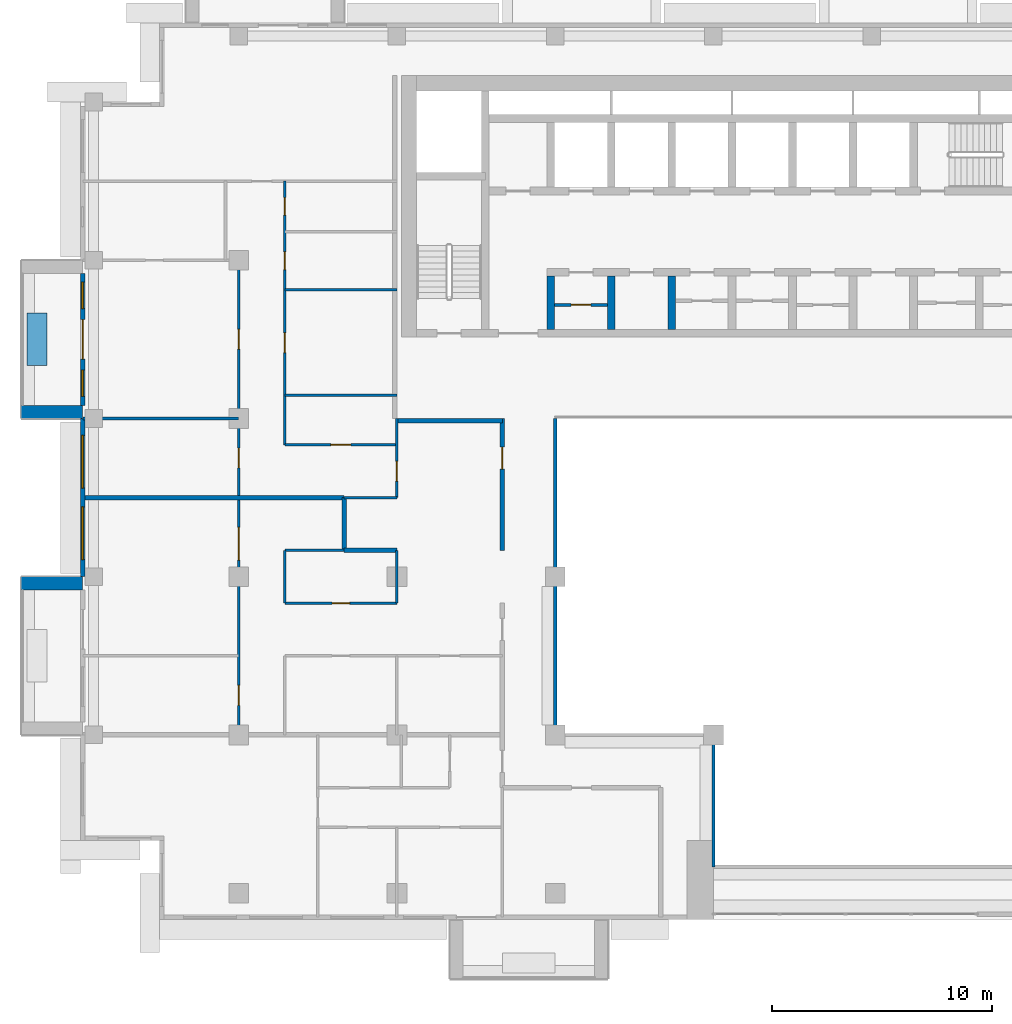
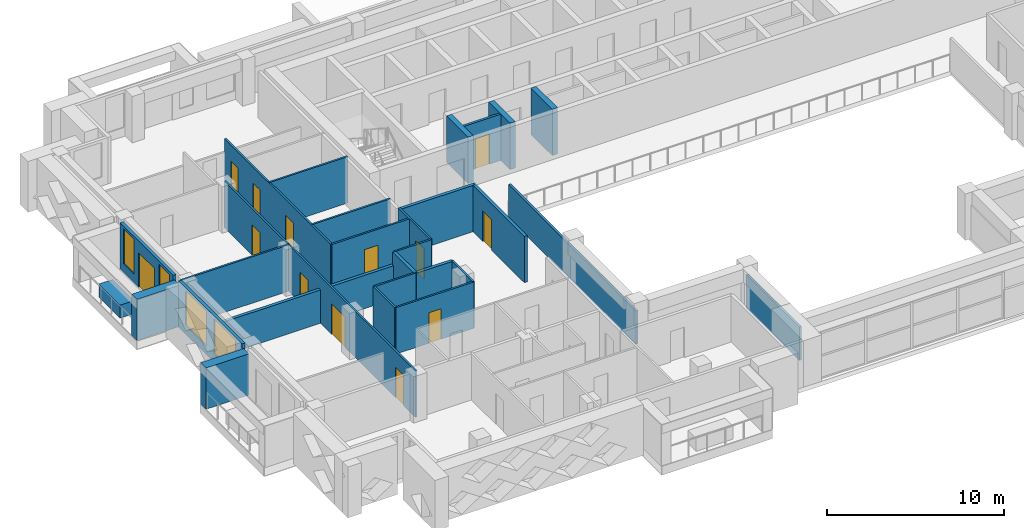
# One storey, part 7 of 20: 28 walls, 13 doors, 4 windows, 17 openings.
"""IFC4 building model written with IfcOpenShell, lengths in metres."""

from ifc_helpers import new_model, si_unit, direction, frame, frame_2d, origin, place, context, subcontext, project, spatial, rectangle, extrude, material, layer, layer_set, type_object, element, fill, save


model = new_model("IFC4")

# Units and contexts
model_context = context("Model", 3, precision=1e-05, world=origin(), true_north=direction((0.0, 1.0)))
body_context = subcontext(model_context, "Body", "Model", "MODEL_VIEW")
ifc_project = project(units=[si_unit("LENGTHUNIT", "METRE"), si_unit("AREAUNIT", "SQUARE_METRE"), si_unit("VOLUMEUNIT", "CUBIC_METRE"), si_unit("PLANEANGLEUNIT", "RADIAN"), si_unit("MASSUNIT", "GRAM", prefix="KILO")], contexts=[model_context])

# Site, building, storey
site_placement = place(None, origin())
site = spatial("IfcSite", under=ifc_project, at=site_placement, CompositionType="ELEMENT")
building_placement = place(site_placement, origin())
building = spatial("IfcBuilding", under=site, at=building_placement, Name="Saffron Iwan Residences", CompositionType="ELEMENT")
storey_placement = place(building_placement, frame((0.0, 0.0, 174.5)))
storey = spatial("IfcBuildingStorey", under=building, at=storey_placement, Name="L46", CompositionType="ELEMENT", Elevation=174.5)

# Walls
ifc_material_1 = material(Name="Fire-rated glazing", Category="glass")
ifc_layer_1 = layer(ifc_material_1, 0.14990234375)
ifc_layer_set_1 = layer_set([ifc_layer_1], Name="Fire-rated glazing")
wall_type_1 = type_object("IfcWallType", Name="Atrium glazed screen 150", PredefinedType="SOLIDWALL", material=ifc_layer_set_1)
wall_1_placement = place(storey_placement, frame((36.0, 48.0, 0.0), z_axis=(0.0, 0.0, 1.0), x_axis=(0.0, 1.0, 0.0)))
element("IfcWall", 1, at=wall_1_placement, inside=storey, type_object=wall_type_1, Name="W-L46-SCREEN-v36-48", PredefinedType="SOLIDWALL", context=body_context, shape_type="SweptSolid", body=[
    extrude(rectangle(XDim=14.39990234375, YDim=0.14990234375, at=frame_2d((7.199951171875, 0.0))), origin(), (0.0, 0.0, 1.0), 2.300048828125),
])
wall_2_placement = place(storey_placement, frame((43.199951171875, 42.0, 0.0), z_axis=(0.0, 0.0, 1.0), x_axis=(0.0, 1.0, 0.0)))
element("IfcWall", 2, at=wall_2_placement, inside=storey, type_object=wall_type_1, Name="W-L46-SCREEN-v43.2-42", PredefinedType="SOLIDWALL", context=body_context, shape_type="SweptSolid", body=[
    extrude(rectangle(XDim=6.0, YDim=0.14990234375, at=frame_2d((3.0, 0.0))), origin(), (0.0, 0.0, 1.0), 2.300048828125),
])
ifc_material_2 = material(Name="Concrete C50/60 white painted", Category="concrete")
ifc_layer_2 = layer(ifc_material_2, 0.60009765625)
ifc_layer_set_2 = layer_set([ifc_layer_2], Name="Concrete C50/60 white painted")
wall_type_2 = type_object("IfcWallType", Name="BALCONY FIN 600", PredefinedType="SOLIDWALL", material=ifc_layer_set_2)
for number, where, z_axis, x_axis, name in (
    (3, (14.5, 62.699951171875, 0.0), (0.0, 0.0, 1.0), (-1.0, 0.0, 0.0), "Balcony fin L46 F8-0b"),
    (4, (14.5, 54.89990234375, 0.0), (0.0, 0.0, 1.0), (-1.0, 0.0, 0.0), "Balcony fin L46 F8-1a"),
):
    element("IfcWall", number, at=place(storey_placement, frame(where, z_axis=z_axis, x_axis=x_axis)), inside=storey, type_object=wall_type_2, Name=name, PredefinedType="SOLIDWALL", context=body_context, shape_type="SweptSolid", body=[
        extrude(rectangle(XDim=2.800048828125, YDim=0.60009765625, at=frame_2d((1.39990234375, 0.0))), origin(), (0.0, 0.0, 1.0), 2.85009765625),
    ])
ifc_material_3 = material(Name="Concrete C35/45 white painted", Category="concrete")
ifc_layer_3 = layer(ifc_material_3, 0.14990234375)
ifc_layer_set_3 = layer_set([ifc_layer_3], Name="Concrete C35/45 white painted")
wall_type_3 = type_object("IfcWallType", Name="BALCONY PLANTER", PredefinedType="SOLIDWALL", material=ifc_layer_set_3)
wall_3_placement = place(storey_placement, frame((12.425048828125, 67.199951171875, 0.0), z_axis=(0.0, 0.0, 1.0), x_axis=(0.0, -1.0, 0.0)))
element("IfcWall", 5, at=wall_3_placement, inside=storey, type_object=wall_type_3, Name="PLANTER L46 F8-0", PredefinedType="SOLIDWALL", context=body_context, shape_type="SweptSolid", body=[
    extrude(rectangle(XDim=2.39990234375, YDim=0.89990234375, at=frame_2d((1.199951171875, 0.0))), origin(), (0.0, 0.0, 1.0), 0.89990234375),
])

# Wall, opening, door
ifc_material_4 = material(Name="Fire-rated plasterboard partition")
ifc_layer_4 = layer(ifc_material_4, 0.14990234375)
ifc_layer_set_4 = layer_set([ifc_layer_4], Name="Fire-rated plasterboard partition")
wall_type_4 = type_object("IfcWallType", Name="Core partition 150", PredefinedType="PARTITIONING", material=ifc_layer_set_4)
wall_4_placement = place(storey_placement, frame((35.97509765625, 67.5654296875, 0.0), z_axis=(0.0, 0.0, 1.0), x_axis=(1.0, 0.0, 0.0)))
wall_4 = element("IfcWall", 6, at=wall_4_placement, inside=storey, type_object=wall_type_4, Name="Core partition P01", PredefinedType="PARTITIONING", context=body_context, shape_type="SweptSolid", body=[
    extrude(rectangle(XDim=2.39990234375, YDim=0.14990234375, at=frame_2d((1.199951171875, 0.0))), origin(), (0.0, 0.0, 1.0), 3.199951171875),
])
opening_1_placement = place(wall_4_placement, frame((0.75, 0.0, 0.0)))
opening_1 = element("IfcOpeningElement", 7, at=opening_1_placement, cuts=wall_4, Name="Opening SB", PredefinedType="OPENING", context=body_context, shape_type="SweptSolid", body=[
    extrude(rectangle(XDim=0.89990234375, YDim=2.10009765625, at=frame_2d((0.449951171875, 1.050048828125))), frame((0.0, 0.0849609375, 0.0), z_axis=(0.0, -1.0, 0.0), x_axis=(1.0, 0.0, 0.0)), (0.0, 0.0, 1.0), 0.169921875),
])
ifc_material_5 = material(Name="Steel fire door", Category="steel")
door_type_1 = type_object("IfcDoorType", Name="Store door 900", OperationType="NOTDEFINED", PredefinedType="DOOR", material=ifc_material_5)
door_1_placement = place(opening_1_placement, origin())
door_1 = element("IfcDoor", 8, at=door_1_placement, inside=storey, type_object=door_type_1, Name="Door Equipment store", OperationType="SINGLE_SWING_RIGHT", OverallHeight=2.10009765625, OverallWidth=0.89990234375, PredefinedType="DOOR", context=body_context, shape_type="SweptSolid", body=[
    extrude(rectangle(XDim=0.89990234375, YDim=2.10009765625, at=frame_2d((0.449951171875, 1.050048828125))), frame((0.0, 0.02490234375, 0.0), z_axis=(0.0, -1.0, 0.0), x_axis=(1.0, 0.0, 0.0)), (0.0, 0.0, 1.0), 0.050048828125),
])
fill(opening_1, door_1)

# Wall, openings, door, windows
ifc_material_6 = material(Name="Concrete C40/50", Category="concrete")
ifc_layer_5 = layer(ifc_material_6, 0.199951171875)
ifc_layer_set_5 = layer_set([ifc_layer_5], Name="Concrete C40/50")
wall_type_5 = type_object("IfcWallType", Name="EXTERNAL WALL 200", PredefinedType="SOLIDWALL", material=ifc_layer_set_5)
wall_5_placement = place(storey_placement, frame((14.5, 69.0, 0.0), z_axis=(0.0, 0.0, 1.0), x_axis=(0.0, -1.0, 0.0)))
wall_5 = element("IfcWall", 9, at=wall_5_placement, inside=storey, type_object=wall_type_5, Name="External wall L46 F8.1", PredefinedType="SOLIDWALL", context=body_context, shape_type="SweptSolid", body=[
    extrude(rectangle(XDim=6.0, YDim=0.199951171875, at=frame_2d((3.0, 0.0))), origin(), (0.0, 0.0, 1.0), 3.199951171875),
])
opening_2_placement = place(wall_5_placement, frame((2.10009765625, 0.0, 0.0)))
opening_2 = element("IfcOpeningElement", 10, at=opening_2_placement, cuts=wall_5, Name="Opening BD1", PredefinedType="OPENING", context=body_context, shape_type="SweptSolid", body=[
    extrude(rectangle(XDim=1.800048828125, YDim=2.39990234375, at=frame_2d((0.89990234375, 1.199951171875))), frame((0.0, 0.10986328125, 0.0), z_axis=(0.0, -1.0, 0.0), x_axis=(1.0, 0.0, 0.0)), (0.0, 0.0, 1.0), 0.219970703125),
])
opening_3_placement = place(wall_5_placement, frame((0.39990234375, 0.0, 0.60009765625)))
opening_3 = element("IfcOpeningElement", 11, at=opening_3_placement, cuts=wall_5, Name="Opening W3", PredefinedType="OPENING", context=body_context, shape_type="SweptSolid", body=[
    extrude(rectangle(XDim=1.199951171875, YDim=2.39990234375, at=frame_2d((0.60009765625, 1.199951171875))), frame((0.0, 0.10986328125, 0.0), z_axis=(0.0, -1.0, 0.0), x_axis=(1.0, 0.0, 0.0)), (0.0, 0.0, 1.0), 0.219970703125),
])
opening_4_placement = place(wall_5_placement, frame((4.39990234375, 0.0, 0.60009765625)))
opening_4 = element("IfcOpeningElement", 12, at=opening_4_placement, cuts=wall_5, Name="Opening W3", PredefinedType="OPENING", context=body_context, shape_type="SweptSolid", body=[
    extrude(rectangle(XDim=1.199951171875, YDim=2.39990234375, at=frame_2d((0.60009765625, 1.199951171875))), frame((0.0, 0.10986328125, 0.0), z_axis=(0.0, -1.0, 0.0), x_axis=(1.0, 0.0, 0.0)), (0.0, 0.0, 1.0), 0.219970703125),
])
ifc_material_7 = material(Name="Clear glass, laminated double glazed", Category="glass")
door_type_2 = type_object("IfcDoorType", Name="BALCONY DOOR 1800 x 2400", OperationType="DOUBLE_DOOR_SLIDING", PredefinedType="DOOR", material=ifc_material_7)
door_2_placement = place(opening_2_placement, origin())
door_2 = element("IfcDoor", 13, at=door_2_placement, inside=storey, type_object=door_type_2, Name="Balcony door L46 F8.0", OperationType="DOUBLE_DOOR_SLIDING", OverallHeight=2.39990234375, OverallWidth=1.800048828125, PredefinedType="DOOR", context=body_context, shape_type="SweptSolid", body=[
    extrude(rectangle(XDim=1.800048828125, YDim=2.39990234375, at=frame_2d((0.89990234375, 1.199951171875))), frame((0.0, 0.02490234375, 0.0), z_axis=(0.0, -1.0, 0.0), x_axis=(1.0, 0.0, 0.0)), (0.0, 0.0, 1.0), 0.050048828125),
])
fill(opening_2, door_2)
window_type_1 = type_object("IfcWindowType", Name="WINDOW 1200 x 2400", PartitioningType="SINGLE_PANEL", PredefinedType="WINDOW", material=ifc_material_7)
window_1_placement = place(opening_3_placement, origin())
window_1 = element("IfcWindow", 14, at=window_1_placement, inside=storey, type_object=window_type_1, Name="Window L46 F8.1", OverallHeight=2.39990234375, OverallWidth=1.199951171875, PartitioningType="SINGLE_PANEL", PredefinedType="WINDOW", context=body_context, shape_type="SweptSolid", body=[
    extrude(rectangle(XDim=1.199951171875, YDim=2.39990234375, at=frame_2d((0.60009765625, 1.199951171875))), frame((0.0, 0.030029296875, 0.0), z_axis=(0.0, -1.0, 0.0), x_axis=(1.0, 0.0, 0.0)), (0.0, 0.0, 1.0), 0.06005859375),
])
fill(opening_3, window_1)
window_2_placement = place(opening_4_placement, origin())
window_2 = element("IfcWindow", 15, at=window_2_placement, inside=storey, type_object=window_type_1, Name="Window L46 F8.2", OverallHeight=2.39990234375, OverallWidth=1.199951171875, PartitioningType="SINGLE_PANEL", PredefinedType="WINDOW", context=body_context, shape_type="SweptSolid", body=[
    extrude(rectangle(XDim=1.199951171875, YDim=2.39990234375, at=frame_2d((0.60009765625, 1.199951171875))), frame((0.0, 0.030029296875, 0.0), z_axis=(0.0, -1.0, 0.0), x_axis=(1.0, 0.0, 0.0)), (0.0, 0.0, 1.0), 0.06005859375),
])
fill(opening_4, window_2)

# Wall, openings, windows
wall_6_placement = place(storey_placement, frame((14.5, 62.39990234375, 0.0), z_axis=(0.0, 0.0, 1.0), x_axis=(0.0, -1.0, 0.0)))
wall_6 = element("IfcWall", 16, at=wall_6_placement, inside=storey, type_object=wall_type_5, Name="External wall L46 F8.2", PredefinedType="SOLIDWALL", context=body_context, shape_type="SweptSolid", body=[
    extrude(rectangle(XDim=7.199951171875, YDim=0.199951171875, at=frame_2d((3.60009765625, 0.0))), origin(), (0.0, 0.0, 1.0), 3.199951171875),
])
opening_5_placement = place(wall_6_placement, frame((4.02490234375, 0.0, 0.60009765625)))
opening_5 = element("IfcOpeningElement", 17, at=opening_5_placement, cuts=wall_6, Name="Opening W1", PredefinedType="OPENING", context=body_context, shape_type="SweptSolid", body=[
    extrude(rectangle(XDim=2.39990234375, YDim=2.39990234375, at=frame_2d((1.199951171875, 1.199951171875))), frame((0.0, 0.10986328125, 0.0), z_axis=(0.0, -1.0, 0.0), x_axis=(1.0, 0.0, 0.0)), (0.0, 0.0, 1.0), 0.219970703125),
])
opening_6_placement = place(wall_6_placement, frame((0.77490234375, 0.0, 0.60009765625)))
opening_6 = element("IfcOpeningElement", 18, at=opening_6_placement, cuts=wall_6, Name="Opening W1", PredefinedType="OPENING", context=body_context, shape_type="SweptSolid", body=[
    extrude(rectangle(XDim=2.39990234375, YDim=2.39990234375, at=frame_2d((1.199951171875, 1.199951171875))), frame((0.0, 0.10986328125, 0.0), z_axis=(0.0, -1.0, 0.0), x_axis=(1.0, 0.0, 0.0)), (0.0, 0.0, 1.0), 0.219970703125),
])
window_type_2 = type_object("IfcWindowType", Name="WINDOW 2400 x 2400", PartitioningType="DOUBLE_PANEL_VERTICAL", PredefinedType="WINDOW", material=ifc_material_7)
window_3_placement = place(opening_5_placement, origin())
window_3 = element("IfcWindow", 19, at=window_3_placement, inside=storey, type_object=window_type_2, Name="Window L46 F8.0", OverallHeight=2.39990234375, OverallWidth=2.39990234375, PartitioningType="DOUBLE_PANEL_VERTICAL", PredefinedType="WINDOW", context=body_context, shape_type="SweptSolid", body=[
    extrude(rectangle(XDim=2.39990234375, YDim=2.39990234375, at=frame_2d((1.199951171875, 1.199951171875))), frame((0.0, 0.030029296875, 0.0), z_axis=(0.0, -1.0, 0.0), x_axis=(1.0, 0.0, 0.0)), (0.0, 0.0, 1.0), 0.06005859375),
])
fill(opening_5, window_3)
window_4_placement = place(opening_6_placement, origin())
window_4 = element("IfcWindow", 20, at=window_4_placement, inside=storey, type_object=window_type_2, Name="Window L46 F8.1", OverallHeight=2.39990234375, OverallWidth=2.39990234375, PartitioningType="DOUBLE_PANEL_VERTICAL", PredefinedType="WINDOW", context=body_context, shape_type="SweptSolid", body=[
    extrude(rectangle(XDim=2.39990234375, YDim=2.39990234375, at=frame_2d((1.199951171875, 1.199951171875))), frame((0.0, 0.030029296875, 0.0), z_axis=(0.0, -1.0, 0.0), x_axis=(1.0, 0.0, 0.0)), (0.0, 0.0, 1.0), 0.06005859375),
])
fill(opening_6, window_4)

# Walls
ifc_material_8 = material(Name="Fire-rated gypsum board wall")
ifc_layer_6 = layer(ifc_material_8, 0.199951171875)
ifc_layer_set_6 = layer_set([ifc_layer_6], Name="Fire-rated gypsum board wall")
wall_type_6 = type_object("IfcWallType", Name="Flat demising wall 200", PredefinedType="SOLIDWALL", material=ifc_layer_set_6)
wall_7_placement = place(storey_placement, frame((26.39990234375, 56.39990234375, 0.0), z_axis=(0.0, 0.0, 1.0), x_axis=(1.0, 0.0, 0.0)))
element("IfcWall", 21, at=wall_7_placement, inside=storey, type_object=wall_type_6, Name="W-L46-DEMISE-h56.4-26.4", PredefinedType="SOLIDWALL", context=body_context, shape_type="SweptSolid", body=[
    extrude(rectangle(XDim=2.400146484375, YDim=0.199951171875, at=frame_2d((1.2001953125, 0.0))), origin(), (0.0, 0.0, 1.0), 3.199951171875),
])
wall_8_placement = place(storey_placement, frame((14.52490234375, 58.800048828125, 0.0), z_axis=(0.0, 0.0, 1.0), x_axis=(1.0, 0.0, 0.0)))
element("IfcWall", 22, at=wall_8_placement, inside=storey, type_object=wall_type_6, Name="W-L46-DEMISE-h58.8-14.525", PredefinedType="SOLIDWALL", context=body_context, shape_type="SweptSolid", body=[
    extrude(rectangle(XDim=11.875, YDim=0.199951171875, at=frame_2d((5.9375, 0.0))), origin(), (0.0, 0.0, 1.0), 2.300048828125),
])
wall_9_placement = place(storey_placement, frame((26.39990234375, 56.39990234375, 0.0), z_axis=(0.0, 0.0, 1.0), x_axis=(0.0, 1.0, 0.0)))
element("IfcWall", 23, at=wall_9_placement, inside=storey, type_object=wall_type_6, Name="W-L46-DEMISE-v26.4-56.4", PredefinedType="SOLIDWALL", context=body_context, shape_type="SweptSolid", body=[
    extrude(rectangle(XDim=2.400146484375, YDim=0.199951171875, at=frame_2d((1.2001953125, 0.0))), origin(), (0.0, 0.0, 1.0), 3.199951171875),
])

# Wall, opening, door
ifc_material_9 = material(Name="Gypsum board partition")
ifc_layer_7 = layer(ifc_material_9, 0.1201171875)
ifc_layer_set_7 = layer_set([ifc_layer_7], Name="Gypsum board partition")
wall_type_7 = type_object("IfcWallType", Name="Flat partition 120", PredefinedType="PARTITIONING", material=ifc_layer_set_7)
wall_10_placement = place(storey_placement, frame((23.699951171875, 54.0, 0.0), z_axis=(0.0, 0.0, 1.0), x_axis=(1.0, 0.0, 0.0)))
wall_10 = element("IfcWall", 24, at=wall_10_placement, inside=storey, type_object=wall_type_7, Name="W-L46-PART-h54-23.7", PredefinedType="PARTITIONING", context=body_context, shape_type="SweptSolid", body=[
    extrude(rectangle(XDim=5.10009765625, YDim=0.1201171875, at=frame_2d((2.550048828125, 0.0))), origin(), (0.0, 0.0, 1.0), 3.199951171875),
])
opening_7_placement = place(wall_10_placement, frame((2.14990234375, 0.0, 0.0)))
opening_7 = element("IfcOpeningElement", 25, at=opening_7_placement, cuts=wall_10, Name="Opening FD3", PredefinedType="OPENING", context=body_context, shape_type="SweptSolid", body=[
    extrude(rectangle(XDim=0.800048828125, YDim=2.10009765625, at=frame_2d((0.39990234375, 1.050048828125))), frame((0.0, 0.070068359375, 0.0), z_axis=(0.0, -1.0, 0.0), x_axis=(1.0, 0.0, 0.0)), (0.0, 0.0, 1.0), 0.14013671875),
])
ifc_material_10 = material(Name="Timber door", Category="wood")
door_type_3 = type_object("IfcDoorType", Name="Bathroom door 800", OperationType="NOTDEFINED", PredefinedType="DOOR", material=ifc_material_10)
door_3_placement = place(opening_7_placement, origin())
door_3 = element("IfcDoor", 26, at=door_3_placement, inside=storey, type_object=door_type_3, Name="Door L46-012", OperationType="SINGLE_SWING_RIGHT", OverallHeight=2.10009765625, OverallWidth=0.800048828125, PredefinedType="DOOR", context=body_context, shape_type="SweptSolid", body=[
    extrude(rectangle(XDim=0.800048828125, YDim=2.10009765625, at=frame_2d((0.39990234375, 1.050048828125))), frame((0.0, 0.02490234375, 0.0), z_axis=(0.0, -1.0, 0.0), x_axis=(1.0, 0.0, 0.0)), (0.0, 0.0, 1.0), 0.050048828125),
])
fill(opening_7, door_3)

# Walls
wall_11_placement = place(storey_placement, frame((23.699951171875, 56.39990234375, 0.0), z_axis=(0.0, 0.0, 1.0), x_axis=(1.0, 0.0, 0.0)))
element("IfcWall", 27, at=wall_11_placement, inside=storey, type_object=wall_type_7, Name="W-L46-PART-h56.4-23.7", PredefinedType="PARTITIONING", context=body_context, shape_type="SweptSolid", body=[
    extrude(rectangle(XDim=2.699951171875, YDim=0.1201171875, at=frame_2d((1.35009765625, 0.0))), origin(), (0.0, 0.0, 1.0), 3.199951171875),
])
wall_12_placement = place(storey_placement, frame((26.39990234375, 58.800048828125, 0.0), z_axis=(0.0, 0.0, 1.0), x_axis=(1.0, 0.0, 0.0)))
element("IfcWall", 28, at=wall_12_placement, inside=storey, type_object=wall_type_7, Name="W-L46-PART-h58.8-26.4", PredefinedType="PARTITIONING", context=body_context, shape_type="SweptSolid", body=[
    extrude(rectangle(XDim=2.400146484375, YDim=0.1201171875, at=frame_2d((1.2001953125, 0.0))), origin(), (0.0, 0.0, 1.0), 3.199951171875),
])

# Wall, opening, door
wall_13_placement = place(storey_placement, frame((23.699951171875, 61.199951171875, 0.0), z_axis=(0.0, 0.0, 1.0), x_axis=(1.0, 0.0, 0.0)))
wall_13 = element("IfcWall", 29, at=wall_13_placement, inside=storey, type_object=wall_type_7, Name="W-L46-PART-h61.2-23.7", PredefinedType="PARTITIONING", context=body_context, shape_type="SweptSolid", body=[
    extrude(rectangle(XDim=5.10009765625, YDim=0.1201171875, at=frame_2d((2.550048828125, 0.0))), origin(), (0.0, 0.0, 1.0), 3.199951171875),
])
opening_8_placement = place(wall_13_placement, frame((2.10009765625, 0.0, 0.0)))
opening_8 = element("IfcOpeningElement", 30, at=opening_8_placement, cuts=wall_13, Name="Opening FD2", PredefinedType="OPENING", context=body_context, shape_type="SweptSolid", body=[
    extrude(rectangle(XDim=0.89990234375, YDim=2.10009765625, at=frame_2d((0.449951171875, 1.050048828125))), frame((0.0, 0.070068359375, 0.0), z_axis=(0.0, -1.0, 0.0), x_axis=(1.0, 0.0, 0.0)), (0.0, 0.0, 1.0), 0.14013671875),
])
door_type_4 = type_object("IfcDoorType", Name="Flat door 900", OperationType="NOTDEFINED", PredefinedType="DOOR", material=ifc_material_10)
door_4_placement = place(opening_8_placement, origin())
door_4 = element("IfcDoor", 31, at=door_4_placement, inside=storey, type_object=door_type_4, Name="Door L46-026", OperationType="SINGLE_SWING_LEFT", OverallHeight=2.10009765625, OverallWidth=0.89990234375, PredefinedType="DOOR", context=body_context, shape_type="SweptSolid", body=[
    extrude(rectangle(XDim=0.89990234375, YDim=2.10009765625, at=frame_2d((0.449951171875, 1.050048828125))), frame((0.0, 0.02490234375, 0.0), z_axis=(0.0, -1.0, 0.0), x_axis=(1.0, 0.0, 0.0)), (0.0, 0.0, 1.0), 0.050048828125),
])
fill(opening_8, door_4)

# Walls
wall_14_placement = place(storey_placement, frame((14.52490234375, 62.39990234375, 0.0), z_axis=(0.0, 0.0, 1.0), x_axis=(1.0, 0.0, 0.0)))
element("IfcWall", 32, at=wall_14_placement, inside=storey, type_object=wall_type_7, Name="W-L46-PART-h62.4-14.525", PredefinedType="PARTITIONING", context=body_context, shape_type="SweptSolid", body=[
    extrude(rectangle(XDim=7.0751953125, YDim=0.1201171875, at=frame_2d((3.53759765625, 0.0))), origin(), (0.0, 0.0, 1.0), 3.199951171875),
])
for number, where, z_axis, x_axis, name in (
    (33, (23.699951171875, 63.449951171875, 0.0), (0.0, 0.0, 1.0), (1.0, 0.0, 0.0), "W-L46-PART-h63.45-23.7"),
    (34, (23.699951171875, 68.25, 0.0), (0.0, 0.0, 1.0), (1.0, 0.0, 0.0), "W-L46-PART-h68.25-23.7"),
):
    element("IfcWall", number, at=place(storey_placement, frame(where, z_axis=z_axis, x_axis=x_axis)), inside=storey, type_object=wall_type_7, Name=name, PredefinedType="PARTITIONING", context=body_context, shape_type="SweptSolid", body=[
        extrude(rectangle(XDim=5.10009765625, YDim=0.1201171875, at=frame_2d((2.550048828125, 0.0))), origin(), (0.0, 0.0, 1.0), 3.199951171875),
    ])

# Wall, openings, doors
wall_15_placement = place(storey_placement, frame((21.60009765625, 48.0, 0.0), z_axis=(0.0, 0.0, 1.0), x_axis=(0.0, 1.0, 0.0)))
wall_15 = element("IfcWall", 35, at=wall_15_placement, inside=storey, type_object=wall_type_7, Name="W-L46-PART-v21.6-48", PredefinedType="PARTITIONING", context=body_context, shape_type="SweptSolid", body=[
    extrude(rectangle(XDim=21.60009765625, YDim=0.1201171875, at=frame_2d((10.800048828125, 0.0))), origin(), (0.0, 0.0, 1.0), 3.199951171875),
])
opening_9_placement = place(wall_15_placement, frame((1.35009765625, 0.0, 0.0)))
opening_9 = element("IfcOpeningElement", 36, at=opening_9_placement, cuts=wall_15, Name="Opening FD2", PredefinedType="OPENING", context=body_context, shape_type="SweptSolid", body=[
    extrude(rectangle(XDim=0.89990234375, YDim=2.10009765625, at=frame_2d((0.449951171875, 1.050048828125))), frame((0.0, 0.070068359375, 0.0), z_axis=(0.0, -1.0, 0.0), x_axis=(1.0, 0.0, 0.0)), (0.0, 0.0, 1.0), 0.14013671875),
])
opening_10_placement = place(wall_15_placement, frame((7.949951171875, 0.0, 0.0)))
opening_10 = element("IfcOpeningElement", 37, at=opening_10_placement, cuts=wall_15, Name="Opening FD4", PredefinedType="OPENING", context=body_context, shape_type="SweptSolid", body=[
    extrude(rectangle(XDim=1.5, YDim=2.10009765625, at=frame_2d((0.75, 1.050048828125))), frame((0.0, 0.070068359375, 0.0), z_axis=(0.0, -1.0, 0.0), x_axis=(1.0, 0.0, 0.0)), (0.0, 0.0, 1.0), 0.14013671875),
])
opening_11_placement = place(wall_15_placement, frame((12.14990234375, 0.0, 0.0)))
opening_11 = element("IfcOpeningElement", 38, at=opening_11_placement, cuts=wall_15, Name="Opening FD2", PredefinedType="OPENING", context=body_context, shape_type="SweptSolid", body=[
    extrude(rectangle(XDim=0.89990234375, YDim=2.10009765625, at=frame_2d((0.449951171875, 1.050048828125))), frame((0.0, 0.070068359375, 0.0), z_axis=(0.0, -1.0, 0.0), x_axis=(1.0, 0.0, 0.0)), (0.0, 0.0, 1.0), 0.14013671875),
])
opening_12_placement = place(wall_15_placement, frame((17.550048828125, 0.0, 0.0)))
opening_12 = element("IfcOpeningElement", 39, at=opening_12_placement, cuts=wall_15, Name="Opening FD2", PredefinedType="OPENING", context=body_context, shape_type="SweptSolid", body=[
    extrude(rectangle(XDim=0.89990234375, YDim=2.10009765625, at=frame_2d((0.449951171875, 1.050048828125))), frame((0.0, 0.070068359375, 0.0), z_axis=(0.0, -1.0, 0.0), x_axis=(1.0, 0.0, 0.0)), (0.0, 0.0, 1.0), 0.14013671875),
])
door_type_5 = type_object("IfcDoorType", Name="Double door 1500", OperationType="NOTDEFINED", PredefinedType="DOOR", material=ifc_material_10)
door_5_placement = place(opening_10_placement, origin())
door_5 = element("IfcDoor", 40, at=door_5_placement, inside=storey, type_object=door_type_5, Name="Door L46-010", OperationType="SINGLE_SWING_RIGHT", OverallHeight=2.10009765625, OverallWidth=1.5, PredefinedType="DOOR", context=body_context, shape_type="SweptSolid", body=[
    extrude(rectangle(XDim=1.5, YDim=2.10009765625, at=frame_2d((0.75, 1.050048828125))), frame((0.0, 0.02490234375, 0.0), z_axis=(0.0, -1.0, 0.0), x_axis=(1.0, 0.0, 0.0)), (0.0, 0.0, 1.0), 0.050048828125),
])
fill(opening_10, door_5)
door_6_placement = place(opening_9_placement, origin())
door_6 = element("IfcDoor", 41, at=door_6_placement, inside=storey, type_object=door_type_4, Name="Door L46-009", OperationType="SINGLE_SWING_RIGHT", OverallHeight=2.10009765625, OverallWidth=0.89990234375, PredefinedType="DOOR", context=body_context, shape_type="SweptSolid", body=[
    extrude(rectangle(XDim=0.89990234375, YDim=2.10009765625, at=frame_2d((0.449951171875, 1.050048828125))), frame((0.0, 0.02490234375, 0.0), z_axis=(0.0, -1.0, 0.0), x_axis=(1.0, 0.0, 0.0)), (0.0, 0.0, 1.0), 0.050048828125),
])
fill(opening_9, door_6)
door_7_placement = place(opening_11_placement, origin())
door_7 = element("IfcDoor", 42, at=door_7_placement, inside=storey, type_object=door_type_4, Name="Door L46-022", OperationType="SINGLE_SWING_LEFT", OverallHeight=2.10009765625, OverallWidth=0.89990234375, PredefinedType="DOOR", context=body_context, shape_type="SweptSolid", body=[
    extrude(rectangle(XDim=0.89990234375, YDim=2.10009765625, at=frame_2d((0.449951171875, 1.050048828125))), frame((0.0, 0.02490234375, 0.0), z_axis=(0.0, -1.0, 0.0), x_axis=(1.0, 0.0, 0.0)), (0.0, 0.0, 1.0), 0.050048828125),
])
fill(opening_11, door_7)
door_8_placement = place(opening_12_placement, origin())
door_8 = element("IfcDoor", 43, at=door_8_placement, inside=storey, type_object=door_type_4, Name="Door L46-023", OperationType="SINGLE_SWING_LEFT", OverallHeight=2.10009765625, OverallWidth=0.89990234375, PredefinedType="DOOR", context=body_context, shape_type="SweptSolid", body=[
    extrude(rectangle(XDim=0.89990234375, YDim=2.10009765625, at=frame_2d((0.449951171875, 1.050048828125))), frame((0.0, 0.02490234375, 0.0), z_axis=(0.0, -1.0, 0.0), x_axis=(1.0, 0.0, 0.0)), (0.0, 0.0, 1.0), 0.050048828125),
])
fill(opening_12, door_8)

# Wall
wall_16_placement = place(storey_placement, frame((23.699951171875, 54.0, 0.0), z_axis=(0.0, 0.0, 1.0), x_axis=(0.0, 1.0, 0.0)))
element("IfcWall", 44, at=wall_16_placement, inside=storey, type_object=wall_type_7, Name="W-L46-PART-v23.7-54", PredefinedType="PARTITIONING", context=body_context, shape_type="SweptSolid", body=[
    extrude(rectangle(XDim=2.39990234375, YDim=0.1201171875, at=frame_2d((1.199951171875, 0.0))), origin(), (0.0, 0.0, 1.0), 3.199951171875),
])

# Wall, openings, doors
wall_17_placement = place(storey_placement, frame((23.699951171875, 61.199951171875, 0.0), z_axis=(0.0, 0.0, 1.0), x_axis=(0.0, 1.0, 0.0)))
wall_17 = element("IfcWall", 45, at=wall_17_placement, inside=storey, type_object=wall_type_7, Name="W-L46-PART-v23.7-61.2", PredefinedType="PARTITIONING", context=body_context, shape_type="SweptSolid", body=[
    extrude(rectangle(XDim=12.0, YDim=0.1201171875, at=frame_2d((6.0, 0.0))), origin(), (0.0, 0.0, 1.0), 3.199951171875),
])
opening_13_placement = place(wall_17_placement, frame((4.199951171875, 0.0, 0.0)))
opening_13 = element("IfcOpeningElement", 46, at=opening_13_placement, cuts=wall_17, Name="Opening FD2", PredefinedType="OPENING", context=body_context, shape_type="SweptSolid", body=[
    extrude(rectangle(XDim=0.89990234375, YDim=2.10009765625, at=frame_2d((0.449951171875, 1.050048828125))), frame((0.0, 0.070068359375, 0.0), z_axis=(0.0, -1.0, 0.0), x_axis=(1.0, 0.0, 0.0)), (0.0, 0.0, 1.0), 0.14013671875),
])
opening_14_placement = place(wall_17_placement, frame((7.97509765625, 0.0, 0.0)))
opening_14 = element("IfcOpeningElement", 47, at=opening_14_placement, cuts=wall_17, Name="Opening FD3", PredefinedType="OPENING", context=body_context, shape_type="SweptSolid", body=[
    extrude(rectangle(XDim=0.800048828125, YDim=2.10009765625, at=frame_2d((0.39990234375, 1.050048828125))), frame((0.0, 0.070068359375, 0.0), z_axis=(0.0, -1.0, 0.0), x_axis=(1.0, 0.0, 0.0)), (0.0, 0.0, 1.0), 0.14013671875),
])
opening_15_placement = place(wall_17_placement, frame((10.449951171875, 0.0, 0.0)))
opening_15 = element("IfcOpeningElement", 48, at=opening_15_placement, cuts=wall_17, Name="Opening FD3", PredefinedType="OPENING", context=body_context, shape_type="SweptSolid", body=[
    extrude(rectangle(XDim=0.800048828125, YDim=2.10009765625, at=frame_2d((0.39990234375, 1.050048828125))), frame((0.0, 0.070068359375, 0.0), z_axis=(0.0, -1.0, 0.0), x_axis=(1.0, 0.0, 0.0)), (0.0, 0.0, 1.0), 0.14013671875),
])
door_9_placement = place(opening_14_placement, origin())
door_9 = element("IfcDoor", 49, at=door_9_placement, inside=storey, type_object=door_type_3, Name="Door L46-028", OperationType="SINGLE_SWING_LEFT", OverallHeight=2.10009765625, OverallWidth=0.800048828125, PredefinedType="DOOR", context=body_context, shape_type="SweptSolid", body=[
    extrude(rectangle(XDim=0.800048828125, YDim=2.10009765625, at=frame_2d((0.39990234375, 1.050048828125))), frame((0.0, 0.02490234375, 0.0), z_axis=(0.0, -1.0, 0.0), x_axis=(1.0, 0.0, 0.0)), (0.0, 0.0, 1.0), 0.050048828125),
])
fill(opening_14, door_9)
door_10_placement = place(opening_15_placement, origin())
door_10 = element("IfcDoor", 50, at=door_10_placement, inside=storey, type_object=door_type_3, Name="Door L46-029", OperationType="SINGLE_SWING_LEFT", OverallHeight=2.10009765625, OverallWidth=0.800048828125, PredefinedType="DOOR", context=body_context, shape_type="SweptSolid", body=[
    extrude(rectangle(XDim=0.800048828125, YDim=2.10009765625, at=frame_2d((0.39990234375, 1.050048828125))), frame((0.0, 0.02490234375, 0.0), z_axis=(0.0, -1.0, 0.0), x_axis=(1.0, 0.0, 0.0)), (0.0, 0.0, 1.0), 0.050048828125),
])
fill(opening_15, door_10)
door_11_placement = place(opening_13_placement, origin())
door_11 = element("IfcDoor", 51, at=door_11_placement, inside=storey, type_object=door_type_4, Name="Door L46-027", OperationType="SINGLE_SWING_RIGHT", OverallHeight=2.10009765625, OverallWidth=0.89990234375, PredefinedType="DOOR", context=body_context, shape_type="SweptSolid", body=[
    extrude(rectangle(XDim=0.89990234375, YDim=2.10009765625, at=frame_2d((0.449951171875, 1.050048828125))), frame((0.0, 0.02490234375, 0.0), z_axis=(0.0, -1.0, 0.0), x_axis=(1.0, 0.0, 0.0)), (0.0, 0.0, 1.0), 0.050048828125),
])
fill(opening_13, door_11)

# Wall
wall_18_placement = place(storey_placement, frame((28.800048828125, 54.0, 0.0), z_axis=(0.0, 0.0, 1.0), x_axis=(0.0, 1.0, 0.0)))
element("IfcWall", 52, at=wall_18_placement, inside=storey, type_object=wall_type_7, Name="W-L46-PART-v28.8-54", PredefinedType="PARTITIONING", context=body_context, shape_type="SweptSolid", body=[
    extrude(rectangle(XDim=2.39990234375, YDim=0.1201171875, at=frame_2d((1.199951171875, 0.0))), origin(), (0.0, 0.0, 1.0), 3.199951171875),
])

# Wall, opening, door
wall_19_placement = place(storey_placement, frame((28.800048828125, 58.800048828125, 0.0), z_axis=(0.0, 0.0, 1.0), x_axis=(0.0, 1.0, 0.0)))
wall_19 = element("IfcWall", 53, at=wall_19_placement, inside=storey, type_object=wall_type_7, Name="W-L46-PART-v28.8-58.8", PredefinedType="PARTITIONING", context=body_context, shape_type="SweptSolid", body=[
    extrude(rectangle(XDim=3.599853515625, YDim=0.1201171875, at=frame_2d((1.7998046875, 0.0))), origin(), (0.0, 0.0, 1.0), 3.199951171875),
])
opening_16_placement = place(wall_19_placement, frame((0.75, 0.0, 0.0)))
opening_16 = element("IfcOpeningElement", 54, at=opening_16_placement, cuts=wall_19, Name="Opening FD2", PredefinedType="OPENING", context=body_context, shape_type="SweptSolid", body=[
    extrude(rectangle(XDim=0.89990234375, YDim=2.10009765625, at=frame_2d((0.449951171875, 1.050048828125))), frame((0.0, 0.070068359375, 0.0), z_axis=(0.0, -1.0, 0.0), x_axis=(1.0, 0.0, 0.0)), (0.0, 0.0, 1.0), 0.14013671875),
])
door_12_placement = place(opening_16_placement, origin())
door_12 = element("IfcDoor", 55, at=door_12_placement, inside=storey, type_object=door_type_4, Name="Door L46-020", OperationType="SINGLE_SWING_LEFT", OverallHeight=2.10009765625, OverallWidth=0.89990234375, PredefinedType="DOOR", context=body_context, shape_type="SweptSolid", body=[
    extrude(rectangle(XDim=0.89990234375, YDim=2.10009765625, at=frame_2d((0.449951171875, 1.050048828125))), frame((0.0, 0.02490234375, 0.0), z_axis=(0.0, -1.0, 0.0), x_axis=(1.0, 0.0, 0.0)), (0.0, 0.0, 1.0), 0.050048828125),
])
fill(opening_16, door_12)

# Wall
ifc_layer_8 = layer(ifc_material_8, 0.199951171875)
ifc_layer_set_8 = layer_set([ifc_layer_8], Name="Fire-rated gypsum board wall")
wall_type_8 = type_object("IfcWallType", Name="Gallery wall 200", PredefinedType="SOLIDWALL", material=ifc_layer_set_8)
wall_20_placement = place(storey_placement, frame((28.800048828125, 62.300048828125, 0.0), z_axis=(0.0, 0.0, 1.0), x_axis=(1.0, 0.0, 0.0)))
element("IfcWall", 56, at=wall_20_placement, inside=storey, type_object=wall_type_8, Name="W-L46-CORR-h62.4-28.8", PredefinedType="SOLIDWALL", context=body_context, shape_type="SweptSolid", body=[
    extrude(rectangle(XDim=4.800048828125, YDim=0.199951171875, at=frame_2d((2.39990234375, 0.0))), origin(), (0.0, 0.0, 1.0), 3.199951171875),
])

# Wall, opening, door
wall_21_placement = place(storey_placement, frame((33.60009765625, 56.39990234375, 0.0), z_axis=(0.0, 0.0, 1.0), x_axis=(0.0, 1.0, 0.0)))
wall_21 = element("IfcWall", 57, at=wall_21_placement, inside=storey, type_object=wall_type_8, Name="W-L46-CORR-v33.6-56.4", PredefinedType="SOLIDWALL", context=body_context, shape_type="SweptSolid", body=[
    extrude(rectangle(XDim=6.0, YDim=0.199951171875, at=frame_2d((3.0, 0.0))), origin(), (0.0, 0.0, 1.0), 3.199951171875),
])
opening_17_placement = place(wall_21_placement, frame((3.699951171875, 0.0, 0.0)))
opening_17 = element("IfcOpeningElement", 58, at=opening_17_placement, cuts=wall_21, Name="Opening FD5", PredefinedType="OPENING", context=body_context, shape_type="SweptSolid", body=[
    extrude(rectangle(XDim=1.0, YDim=2.10009765625, at=frame_2d((0.5, 1.050048828125))), frame((0.0, 0.10986328125, 0.0), z_axis=(0.0, -1.0, 0.0), x_axis=(1.0, 0.0, 0.0)), (0.0, 0.0, 1.0), 0.219970703125),
])
ifc_material_11 = material(Name="Fire-rated timber door", Category="wood")
door_type_6 = type_object("IfcDoorType", Name="Lobby door 1000", OperationType="NOTDEFINED", PredefinedType="DOOR", material=ifc_material_11)
door_13_placement = place(opening_17_placement, origin())
door_13 = element("IfcDoor", 59, at=door_13_placement, inside=storey, type_object=door_type_6, Name="Door L46-021", OperationType="SINGLE_SWING_RIGHT", OverallHeight=2.10009765625, OverallWidth=1.0, PredefinedType="DOOR", context=body_context, shape_type="SweptSolid", body=[
    extrude(rectangle(XDim=1.0, YDim=2.10009765625, at=frame_2d((0.5, 1.050048828125))), frame((0.0, 0.02490234375, 0.0), z_axis=(0.0, -1.0, 0.0), x_axis=(1.0, 0.0, 0.0)), (0.0, 0.0, 1.0), 0.050048828125),
])
fill(opening_17, door_13)

# Walls
ifc_material_12 = material(Name="Concrete C50/60", Category="concrete")
ifc_layer_9 = layer(ifc_material_12, 0.35009765625)
ifc_layer_set_9 = layer_set([ifc_layer_9], Name="Concrete C50/60")
wall_type_9 = type_object("IfcWallType", Name="WALL CORE 350 C50/60 3200 HIGH", PredefinedType="SHEAR", material=ifc_layer_set_9)
for number, where, z_axis, x_axis, name in (
    (60, (35.800048828125, 66.449951171875, 0.0), (0.0, 0.0, 1.0), (0.0, 1.0, 0.0), "Core wall"),
    (61, (38.550048828125, 66.449951171875, 0.0), (0.0, 0.0, 1.0), (0.0, 1.0, 0.0), "Core wall"),
    (62, (41.300048828125, 66.449951171875, 0.0), (0.0, 0.0, 1.0), (0.0, 1.0, 0.0), "Core wall"),
):
    element("IfcWall", number, at=place(storey_placement, frame(where, z_axis=z_axis, x_axis=x_axis)), inside=storey, type_object=wall_type_9, Name=name, PredefinedType="SHEAR", context=body_context, shape_type="SweptSolid", body=[
        extrude(rectangle(XDim=2.425048828125, YDim=0.35009765625, at=frame_2d((1.21240234375, 0.0))), origin(), (0.0, 0.0, 1.0), 3.199951171875),
    ])

save(model, "model.ifc")
